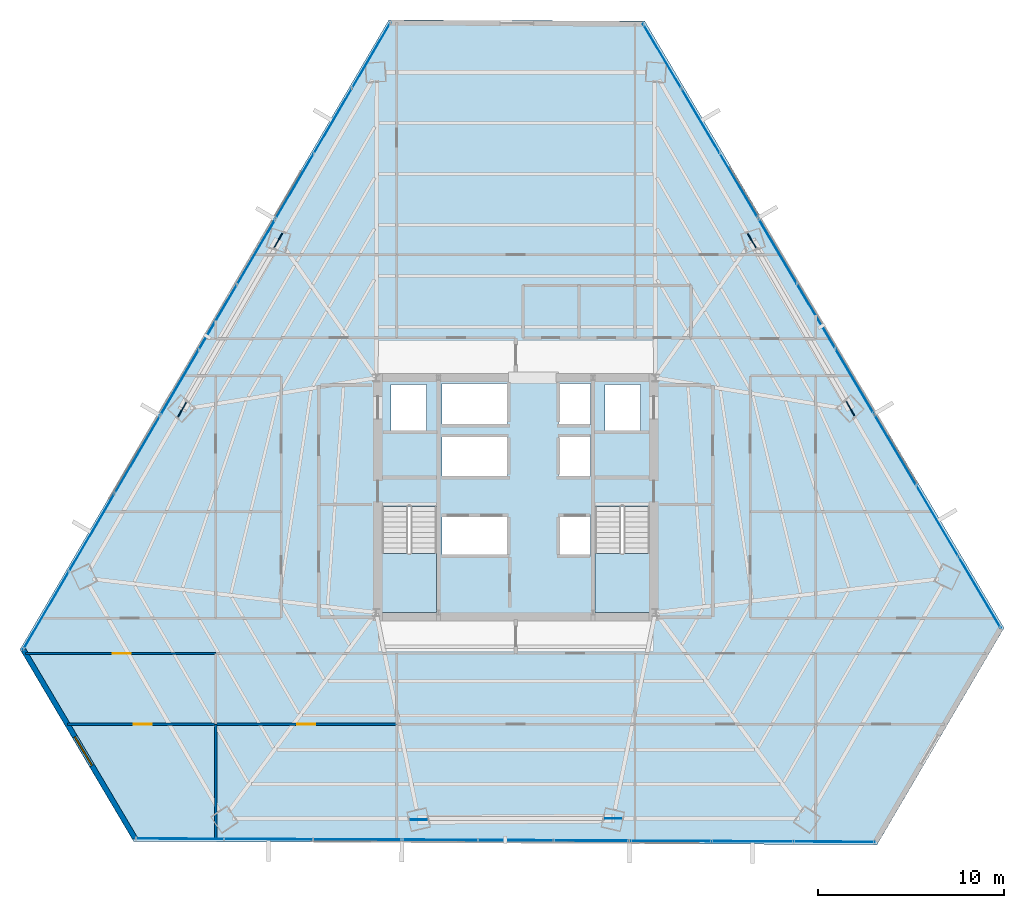
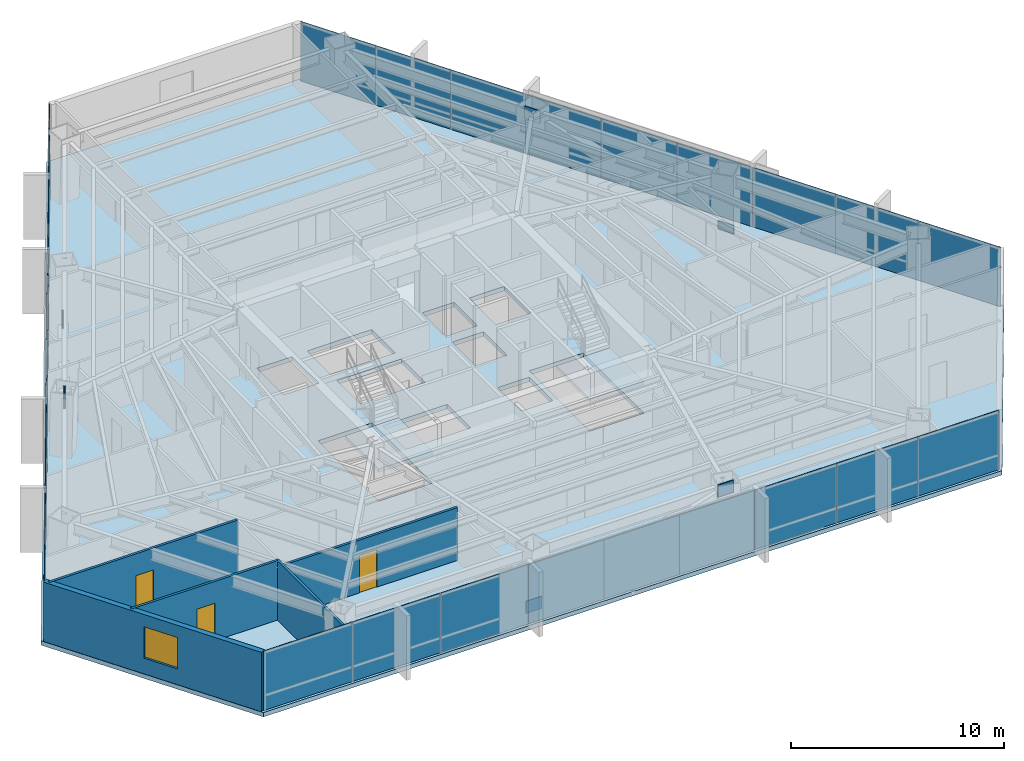
# One storey, part 29 of 37: 33 plates, 5 walls, 3 doors, 3 slabs, 1 window, 4 openings, 11 elements without a shape of their own.
"""IFC4 building model written with IfcOpenShell, lengths in metres."""

from ifc_helpers import new_model, si_unit, direction, frame, frame_2d, origin, origin_2d, place, context, subcontext, project, spatial, polyline, rectangle, outline, extrude, source, transform, mapped, material, layer, layer_set, type_object, type_shapes, element, fill, aggregate, save


model = new_model("IFC4")

# Units and contexts
model_context = context("Model", 3, precision=1e-05, world=origin(), true_north=direction((0.0, 1.0)))
body_context = subcontext(model_context, "Body", "Model", "MODEL_VIEW")
ifc_project = project(units=[si_unit("LENGTHUNIT", "METRE"), si_unit("AREAUNIT", "SQUARE_METRE"), si_unit("VOLUMEUNIT", "CUBIC_METRE"), si_unit("PLANEANGLEUNIT", "RADIAN"), si_unit("MASSUNIT", "GRAM", prefix="KILO")], contexts=[model_context])

# Site, building, storey
site_placement = place(None, origin())
site = spatial("IfcSite", under=ifc_project, at=site_placement, CompositionType="ELEMENT")
building_placement = place(site_placement, origin())
building = spatial("IfcBuilding", under=site, at=building_placement, Name="Caelisora Broadcast Tower", CompositionType="ELEMENT")
storey_placement = place(building_placement, frame((0.0, 0.0, 101.75)))
storey = spatial("IfcBuildingStorey", under=building, at=storey_placement, Name="L26", CompositionType="ELEMENT", Elevation=101.75)

# Slab
ifc_material_1 = material(Name="Concrete 40 MPa (AS 3600 N40)", Category="concrete")
ifc_layer_1 = layer(ifc_material_1, 0.25, Name="Concrete 40 MPa (AS 3600 N40)")
ifc_layer_set_1 = layer_set([ifc_layer_1], Name="Concrete 40 MPa (AS 3600 N40)")
slab_type_1 = type_object("IfcSlabType", Name="SL04", PredefinedType="FLOOR", material=ifc_layer_set_1)
slab_1_placement = place(storey_placement, frame((0.0, 0.0, -0.25)))
element("IfcSlab", 1, at=slab_1_placement, inside=storey, type_object=slab_type_1, Name="L26 suspended floor SL04", PredefinedType="FLOOR", context=body_context, shape_type="SweptSolid", body=[
    extrude(outline(polyline([(44.926025390625, 49.14697265625), (31.18310546875, 49.2099609375), (11.384033203125, 15.4130859375), (17.48095703125, 5.113037109375), (57.39404296875, 4.930908203125), (64.2119140625, 16.568115234375), (44.926025390625, 49.14697265625)]), holes=[polyline([(30.820068359375, 17.39990234375), (33.739990234375, 17.39990234375), (33.739990234375, 23.080078125), (30.820068359375, 23.080078125), (30.820068359375, 17.39990234375)]), polyline([(42.260009765625, 17.39990234375), (45.179931640625, 17.39990234375), (45.179931640625, 23.080078125), (42.260009765625, 23.080078125), (42.260009765625, 17.39990234375)]), polyline([(42.800048828125, 27.14990234375), (44.699951171875, 27.14990234375), (44.699951171875, 29.64990234375), (42.800048828125, 29.64990234375), (42.800048828125, 27.14990234375)]), polyline([(40.300048828125, 20.429931640625), (42.0, 20.429931640625), (42.0, 22.6298828125), (40.300048828125, 22.6298828125), (40.300048828125, 20.429931640625)]), polyline([(40.300048828125, 24.719970703125), (42.0, 24.719970703125), (42.0, 26.919921875), (40.300048828125, 26.919921875), (40.300048828125, 24.719970703125)]), polyline([(40.300048828125, 27.5), (42.0, 27.5), (42.0, 29.699951171875), (40.300048828125, 29.699951171875), (40.300048828125, 27.5)]), polyline([(34.050048828125, 20.429931640625), (37.550048828125, 20.429931640625), (37.550048828125, 22.6298828125), (34.050048828125, 22.6298828125), (34.050048828125, 20.429931640625)]), polyline([(34.050048828125, 24.719970703125), (37.550048828125, 24.719970703125), (37.550048828125, 26.919921875), (34.050048828125, 26.919921875), (34.050048828125, 24.719970703125)]), polyline([(34.050048828125, 27.5), (37.550048828125, 27.5), (37.550048828125, 29.699951171875), (34.050048828125, 29.699951171875), (34.050048828125, 27.5)]), polyline([(31.300048828125, 27.14990234375), (33.199951171875, 27.14990234375), (33.199951171875, 29.64990234375), (31.300048828125, 29.64990234375), (31.300048828125, 27.14990234375)])]), origin(), (0.0, 0.0, 1.0), 0.25),
])

# Stair, slab
stair_type_1 = type_object("IfcStairType", Name="ST-1", PredefinedType="HALF_TURN_STAIR", material=ifc_material_1)
stair_1_placement = place(storey_placement, origin())
stair_1 = element("IfcStair", 2, at=stair_1_placement, inside=storey, type_object=stair_type_1, Name="L26 West Fire-Isolated Tower Stair", PredefinedType="HALF_TURN_STAIR")
ifc_layer_2 = layer(ifc_material_1, 0.199951171875, Name="Concrete 40 MPa (AS 3600 N40)")
ifc_layer_set_2 = layer_set([ifc_layer_2], Name="Concrete 40 MPa (AS 3600 N40)")
slab_type_2 = type_object("IfcSlabType", Name="STL-1", PredefinedType="LANDING", material=ifc_layer_set_2)
slab_2_placement = place(storey_placement, frame((0.0, 0.0, 1.625)))
slab_2 = element("IfcSlab", 3, at=slab_2_placement, type_object=slab_type_2, Name="ST-1 landing 1", PredefinedType="LANDING", context=body_context, shape_type="SweptSolid", body=[
    extrude(outline(polyline([(30.820068359375, 20.580078125), (30.820068359375, 17.39990234375), (33.739990234375, 17.39990234375), (33.739990234375, 20.580078125), (30.820068359375, 20.580078125)])), origin(), (0.0, 0.0, 1.0), 0.199951171875),
])
aggregate(stair_1, [slab_2])

stair_type_2 = type_object("IfcStairType", Name="ST-2", PredefinedType="HALF_TURN_STAIR", material=ifc_material_1)
stair_2_placement = place(storey_placement, origin())
stair_2 = element("IfcStair", 4, at=stair_2_placement, inside=storey, type_object=stair_type_2, Name="L26 East Fire-Isolated Tower Stair", PredefinedType="HALF_TURN_STAIR")
slab_3_placement = place(storey_placement, frame((0.0, 0.0, 1.625)))
slab_3 = element("IfcSlab", 5, at=slab_3_placement, type_object=slab_type_2, Name="ST-2 landing 1", PredefinedType="LANDING", context=body_context, shape_type="SweptSolid", body=[
    extrude(outline(polyline([(42.260009765625, 20.580078125), (42.260009765625, 17.39990234375), (45.179931640625, 17.39990234375), (45.179931640625, 20.580078125), (42.260009765625, 20.580078125)])), origin(), (0.0, 0.0, 1.0), 0.199951171875),
])
aggregate(stair_2, [slab_3])

# Plates
ifc_material_2 = material(Name="Steel Grade 350 L15 (AS/NZS 3678)", Category="steel")
ifc_layer_3 = layer(ifc_material_2, 0.050048828125, Name="Steel Grade 350 L15 (AS/NZS 3678)")
ifc_layer_set_3 = layer_set([ifc_layer_3], Name="Steel Grade 350 L15 (AS/NZS 3678)")
plate_type_1 = type_object("IfcPlateType", Name="GP03", PredefinedType="USERDEFINED", material=ifc_layer_set_3)
shared_shape_1 = source(origin(), body_context, "Body", "SweptSolid", [
    extrude(rectangle(XDim=0.85009765625, YDim=0.050048828125, at=origin_2d()), origin(), (0.0, 0.0, 1.0), 0.699951171875),
])
type_shapes(plate_type_1, [shared_shape_1])
for number, where, z_axis, x_axis, name in (
    (6, (25.24951171875, 37.3779296875, -0.22998046875), (0.0, 0.0, 1.0), (-0.5, -0.866025403784, 0.0), "L26 gusset plate GP03 (ND-L26-C02B)"),
    (7, (20.093505859375, 28.302978515625, 2.72998046875), (0.0, 0.0, 1.0), (-0.5, -0.866025403784, 0.0), "L26 gusset plate GP03 (ND-L26-C03T)"),
    (8, (32.789794921875, 6.268798828125, -0.22998046875), (0.0, 0.0, 1.0), (1.0, 0.0, 0.0), "L26 gusset plate GP03 (ND-L26-C06B)"),
    (9, (43.226806640625, 6.341064453125, 2.72998046875), (0.0, 0.0, 1.0), (1.0, 0.0, 0.0), "L26 gusset plate GP03 (ND-L26-C07T)"),
    (10, (55.9609375, 28.353515625, -0.22998046875), (0.0, 0.0, 1.0), (-0.5, 0.866025403784, 0.0), "L26 gusset plate GP03 (ND-L26-C10B)"),
    (11, (50.6796875, 37.35595703125, 2.72998046875), (0.0, 0.0, 1.0), (-0.5, 0.866025403784, 0.0), "L26 gusset plate GP03 (ND-L26-C11T)"),
):
    element("IfcPlate", number, at=place(storey_placement, frame(where, z_axis=z_axis, x_axis=x_axis)), inside=storey, type_object=plate_type_1, Name=name, ObjectType="GUSSET PLATE", PredefinedType="USERDEFINED", context=body_context, shape_type="MappedRepresentation", body=[
        mapped(shared_shape_1, transform((0.0, 0.0, 0.0), scale=1.0)),
    ])

# Curtain wall, plates
ifc_material_3 = material(Name="Unitised Aluminium and Low-E Glass Curtain Wall", Category="glass")
curtain_wall_type_1 = type_object("IfcCurtainWallType", Name="CW-Z2", PredefinedType="NOTDEFINED", material=ifc_material_3)
curtain_wall_1_placement = place(storey_placement, origin())
curtain_wall_1 = element("IfcCurtainWall", 12, at=curtain_wall_1_placement, inside=storey, type_object=curtain_wall_type_1, Name="L26 curtain wall CW-Z2", PredefinedType="NOTDEFINED")
ifc_material_4 = material(Name="Double Glazed Low-E Argon IGU", Category="glass")
ifc_layer_4 = layer(ifc_material_4, 0.033935546875, Name="Double Glazed Low-E Argon IGU")
ifc_layer_set_4 = layer_set([ifc_layer_4], Name="Double Glazed Low-E Argon IGU")
plate_type_2 = type_object("IfcPlateType", Name="CWP-03", PredefinedType="CURTAIN_PANEL", material=ifc_layer_set_4)
shared_shape_2 = source(origin(), body_context, "Body", "SweptSolid", [
    extrude(rectangle(XDim=4.034912109375, YDim=0.033935546875, at=origin_2d()), origin(), (0.0, 0.0, 1.0), 3.39990234375),
])
plate_1_placement = place(storey_placement, frame((45.86767578125, 47.260986328125, 0.0), z_axis=(0.0, 0.0, 1.0), x_axis=(0.509492029423, -0.860475375565, 0.0)))
plate_1 = element("IfcPlate", 13, at=plate_1_placement, type_object=plate_type_2, Name="L26-CW-B01 glazed panel #1", PredefinedType="CURTAIN_PANEL", context=body_context, shape_type="MappedRepresentation", body=[
    mapped(shared_shape_2, transform((0.0, 0.0, 0.0), scale=1.0)),
])
plate_2_placement = place(storey_placement, frame((47.923095703125, 43.7890625, 0.0), z_axis=(0.0, 0.0, 1.0), x_axis=(0.509492029423, -0.860475375565, 0.0)))
plate_2 = element("IfcPlate", 14, at=plate_2_placement, type_object=plate_type_2, Name="L26-CW-B01 glazed panel #2", PredefinedType="CURTAIN_PANEL", context=body_context, shape_type="MappedRepresentation", body=[
    mapped(shared_shape_2, transform((0.0, 0.0, 0.0), scale=1.0)),
])
plate_3_placement = place(storey_placement, frame((49.978515625, 40.31689453125, 0.0), z_axis=(0.0, 0.0, 1.0), x_axis=(0.509492029423, -0.860475375565, 0.0)))
plate_3 = element("IfcPlate", 15, at=plate_3_placement, type_object=plate_type_2, Name="L26-CW-B01 glazed panel #3", PredefinedType="CURTAIN_PANEL", context=body_context, shape_type="MappedRepresentation", body=[
    mapped(shared_shape_2, transform((0.0, 0.0, 0.0), scale=1.0)),
])
aggregate(curtain_wall_1, [plate_1, plate_2, plate_3])

ifc_material_5 = material(Name="Unitised Aluminium Insulated Shadow-Box Spandrel Curtain Wall", Category="aluminium")
curtain_wall_type_2 = type_object("IfcCurtainWallType", Name="CW-SP1", PredefinedType="NOTDEFINED", material=ifc_material_5)
curtain_wall_2_placement = place(storey_placement, origin())
curtain_wall_2 = element("IfcCurtainWall", 16, at=curtain_wall_2_placement, inside=storey, type_object=curtain_wall_type_2, Name="L26 curtain wall CW-SP1", PredefinedType="NOTDEFINED")
ifc_material_6 = material(Name="Insulated Terracotta Shadow-Box Spandrel Panel", Category="aluminium")
ifc_layer_5 = layer(ifc_material_6, 0.0439453125, Name="Insulated Terracotta Shadow-Box Spandrel Panel")
ifc_layer_set_5 = layer_set([ifc_layer_5], Name="Insulated Terracotta Shadow-Box Spandrel Panel")
plate_type_3 = type_object("IfcPlateType", Name="CWP-10", PredefinedType="CURTAIN_PANEL", material=ifc_layer_set_5)
shared_shape_3 = source(origin(), body_context, "Body", "SweptSolid", [
    extrude(rectangle(XDim=4.070068359375, YDim=0.0439453125, at=origin_2d()), origin(), (0.0, 0.0, 1.0), 3.39990234375),
])
plate_4_placement = place(storey_placement, frame((52.048095703125, 36.8212890625, 0.0), z_axis=(0.0, 0.0, 1.0), x_axis=(0.509492029423, -0.860475375565, 0.0)))
plate_4 = element("IfcPlate", 17, at=plate_4_placement, type_object=plate_type_3, Name="L26-CW-B02 spandrel panel #1", PredefinedType="CURTAIN_PANEL", context=body_context, shape_type="MappedRepresentation", body=[
    mapped(shared_shape_3, transform((0.0, 0.0, 0.0), scale=1.0)),
])
plate_5_placement = place(storey_placement, frame((54.121337890625, 33.31884765625, 0.0), z_axis=(0.0, 0.0, 1.0), x_axis=(0.509492029423, -0.860475375565, 0.0)))
plate_5 = element("IfcPlate", 18, at=plate_5_placement, type_object=plate_type_3, Name="L26-CW-B02 spandrel panel #2", PredefinedType="CURTAIN_PANEL", context=body_context, shape_type="MappedRepresentation", body=[
    mapped(shared_shape_3, transform((0.0, 0.0, 0.0), scale=1.0)),
])
plate_6_placement = place(storey_placement, frame((56.19482421875, 29.816650390625, 0.0), z_axis=(0.0, 0.0, 1.0), x_axis=(0.509492029423, -0.860475375565, 0.0)))
plate_6 = element("IfcPlate", 19, at=plate_6_placement, type_object=plate_type_3, Name="L26-CW-B02 spandrel panel #3", PredefinedType="CURTAIN_PANEL", context=body_context, shape_type="MappedRepresentation", body=[
    mapped(shared_shape_3, transform((0.0, 0.0, 0.0), scale=1.0)),
])
aggregate(curtain_wall_2, [plate_4, plate_5, plate_6])

curtain_wall_3_placement = place(storey_placement, origin())
curtain_wall_3 = element("IfcCurtainWall", 20, at=curtain_wall_3_placement, inside=storey, type_object=curtain_wall_type_2, Name="L26 curtain wall CW-SP1", PredefinedType="NOTDEFINED")
plate_7_placement = place(storey_placement, frame((19.945068359375, 29.729736328125, 0.0), z_axis=(0.0, 0.0, 1.0), x_axis=(0.505431492718, 0.862866737202, 0.0)))
plate_7 = element("IfcPlate", 21, at=plate_7_placement, type_object=plate_type_3, Name="L26-CW-B10 spandrel panel #1", PredefinedType="CURTAIN_PANEL", context=body_context, shape_type="MappedRepresentation", body=[
    mapped(shared_shape_3, transform((0.0, 0.0, 0.0), scale=1.0)),
])
plate_8_placement = place(storey_placement, frame((22.00244140625, 33.24169921875, 0.0), z_axis=(0.0, 0.0, 1.0), x_axis=(0.505431492718, 0.862866737202, 0.0)))
plate_8 = element("IfcPlate", 22, at=plate_8_placement, type_object=plate_type_3, Name="L26-CW-B10 spandrel panel #2", PredefinedType="CURTAIN_PANEL", context=body_context, shape_type="MappedRepresentation", body=[
    mapped(shared_shape_3, transform((0.0, 0.0, 0.0), scale=1.0)),
])
plate_9_placement = place(storey_placement, frame((24.059814453125, 36.753662109375, 0.0), z_axis=(0.0, 0.0, 1.0), x_axis=(0.505431492718, 0.862866737202, 0.0)))
plate_9 = element("IfcPlate", 23, at=plate_9_placement, type_object=plate_type_3, Name="L26-CW-B10 spandrel panel #3", PredefinedType="CURTAIN_PANEL", context=body_context, shape_type="MappedRepresentation", body=[
    mapped(shared_shape_3, transform((0.0, 0.0, 0.0), scale=1.0)),
])
aggregate(curtain_wall_3, [plate_7, plate_8, plate_9])

curtain_wall_4_placement = place(storey_placement, origin())
curtain_wall_4 = element("IfcCurtainWall", 24, at=curtain_wall_4_placement, inside=storey, type_object=curtain_wall_type_1, Name="L26 curtain wall CW-Z2", PredefinedType="NOTDEFINED")
shared_shape_4 = source(origin(), body_context, "Body", "SweptSolid", [
    extrude(rectangle(XDim=4.450439453125, YDim=0.033935546875, at=origin_2d()), origin(), (0.0, 0.0, 1.0), 3.39990234375),
])
plate_10_placement = place(storey_placement, frame((58.3701171875, 26.14208984375, 0.0), z_axis=(0.0, 0.0, 1.0), x_axis=(0.509492029423, -0.860475375565, 0.0)))
plate_10 = element("IfcPlate", 25, at=plate_10_placement, type_object=plate_type_2, Name="L26-CW-B03 glazed panel #1", PredefinedType="CURTAIN_PANEL", context=body_context, shape_type="MappedRepresentation", body=[
    mapped(shared_shape_4, transform((0.0, 0.0, 0.0), scale=1.0)),
])
plate_11_placement = place(storey_placement, frame((60.63720703125, 22.3125, 0.0), z_axis=(0.0, 0.0, 1.0), x_axis=(0.509492029423, -0.860475375565, 0.0)))
plate_11 = element("IfcPlate", 26, at=plate_11_placement, type_object=plate_type_2, Name="L26-CW-B03 glazed panel #2", PredefinedType="CURTAIN_PANEL", context=body_context, shape_type="MappedRepresentation", body=[
    mapped(shared_shape_4, transform((0.0, 0.0, 0.0), scale=1.0)),
])
plate_12_placement = place(storey_placement, frame((62.904296875, 18.48291015625, 0.0), z_axis=(0.0, 0.0, 1.0), x_axis=(0.509492029423, -0.860475375565, 0.0)))
plate_12 = element("IfcPlate", 27, at=plate_12_placement, type_object=plate_type_2, Name="L26-CW-B03 glazed panel #3", PredefinedType="CURTAIN_PANEL", context=body_context, shape_type="MappedRepresentation", body=[
    mapped(shared_shape_4, transform((0.0, 0.0, 0.0), scale=1.0)),
])
aggregate(curtain_wall_4, [plate_10, plate_11, plate_12])

curtain_wall_5_placement = place(storey_placement, origin())
curtain_wall_5 = element("IfcCurtainWall", 28, at=curtain_wall_5_placement, inside=storey, type_object=curtain_wall_type_1, Name="L26 curtain wall CW-Z2", PredefinedType="NOTDEFINED")
shared_shape_5 = source(origin(), body_context, "Body", "SweptSolid", [
    extrude(rectangle(XDim=4.3994140625, YDim=0.033935546875, at=origin_2d()), origin(), (0.0, 0.0, 1.0), 3.39990234375),
])
plate_13_placement = place(storey_placement, frame((55.1083984375, 5.091064453125, 0.0), z_axis=(0.0, 0.0, 1.0), x_axis=(-0.999989703949, 0.004537840481, 0.0)))
plate_13 = element("IfcPlate", 29, at=plate_13_placement, type_object=plate_type_2, Name="L26-CW-B05 glazed panel #1", PredefinedType="CURTAIN_PANEL", context=body_context, shape_type="MappedRepresentation", body=[
    mapped(shared_shape_5, transform((0.0, 0.0, 0.0), scale=1.0)),
])
plate_14_placement = place(storey_placement, frame((50.708984375, 5.111083984375, 0.0), z_axis=(0.0, 0.0, 1.0), x_axis=(-0.999989703949, 0.004537840481, 0.0)))
plate_14 = element("IfcPlate", 30, at=plate_14_placement, type_object=plate_type_2, Name="L26-CW-B05 glazed panel #2", PredefinedType="CURTAIN_PANEL", context=body_context, shape_type="MappedRepresentation", body=[
    mapped(shared_shape_5, transform((0.0, 0.0, 0.0), scale=1.0)),
])
plate_15_placement = place(storey_placement, frame((46.309814453125, 5.13134765625, 0.0), z_axis=(0.0, 0.0, 1.0), x_axis=(-0.999989703949, 0.004537840481, 0.0)))
plate_15 = element("IfcPlate", 31, at=plate_15_placement, type_object=plate_type_2, Name="L26-CW-B05 glazed panel #3", PredefinedType="CURTAIN_PANEL", context=body_context, shape_type="MappedRepresentation", body=[
    mapped(shared_shape_5, transform((0.0, 0.0, 0.0), scale=1.0)),
])
aggregate(curtain_wall_5, [plate_13, plate_14, plate_15])

curtain_wall_6_placement = place(storey_placement, origin())
curtain_wall_6 = element("IfcCurtainWall", 32, at=curtain_wall_6_placement, inside=storey, type_object=curtain_wall_type_2, Name="L26 curtain wall CW-SP1", PredefinedType="NOTDEFINED")
shared_shape_6 = source(origin(), body_context, "Body", "SweptSolid", [
    extrude(rectangle(XDim=4.0703125, YDim=0.0439453125, at=origin_2d()), origin(), (0.0, 0.0, 1.0), 3.39990234375),
])
type_shapes(plate_type_3, [shared_shape_3, shared_shape_6])
plate_16_placement = place(storey_placement, frame((42.065185546875, 5.15087890625, 0.0), z_axis=(0.0, 0.0, 1.0), x_axis=(-0.999989703949, 0.004537840481, 0.0)))
plate_16 = element("IfcPlate", 33, at=plate_16_placement, type_object=plate_type_3, Name="L26-CW-B06 spandrel panel #1", PredefinedType="CURTAIN_PANEL", context=body_context, shape_type="MappedRepresentation", body=[
    mapped(shared_shape_6, transform((0.0, 0.0, 0.0), scale=1.0)),
])
plate_17_placement = place(storey_placement, frame((37.9951171875, 5.16943359375, 0.0), z_axis=(0.0, 0.0, 1.0), x_axis=(-0.999989703949, 0.004537840481, 0.0)))
plate_17 = element("IfcPlate", 34, at=plate_17_placement, type_object=plate_type_3, Name="L26-CW-B06 spandrel panel #2", PredefinedType="CURTAIN_PANEL", context=body_context, shape_type="MappedRepresentation", body=[
    mapped(shared_shape_6, transform((0.0, 0.0, 0.0), scale=1.0)),
])
plate_18_placement = place(storey_placement, frame((33.9248046875, 5.18798828125, 0.0), z_axis=(0.0, 0.0, 1.0), x_axis=(-0.999989703949, 0.004537840481, 0.0)))
plate_18 = element("IfcPlate", 35, at=plate_18_placement, type_object=plate_type_3, Name="L26-CW-B06 spandrel panel #3", PredefinedType="CURTAIN_PANEL", context=body_context, shape_type="MappedRepresentation", body=[
    mapped(shared_shape_6, transform((0.0, 0.0, 0.0), scale=1.0)),
])
aggregate(curtain_wall_6, [plate_16, plate_17, plate_18])

curtain_wall_7_placement = place(storey_placement, origin())
curtain_wall_7 = element("IfcCurtainWall", 36, at=curtain_wall_7_placement, inside=storey, type_object=curtain_wall_type_1, Name="L26 curtain wall CW-Z2", PredefinedType="NOTDEFINED")
shared_shape_7 = source(origin(), body_context, "Body", "SweptSolid", [
    extrude(rectangle(XDim=4.77099609375, YDim=0.033935546875, at=origin_2d()), origin(), (0.0, 0.0, 1.0), 3.39990234375),
])
plate_19_placement = place(storey_placement, frame((29.494384765625, 5.20849609375, 0.0), z_axis=(0.0, 0.0, 1.0), x_axis=(-0.999989703949, 0.004537840481, 0.0)))
plate_19 = element("IfcPlate", 37, at=plate_19_placement, type_object=plate_type_2, Name="L26-CW-B07 glazed panel #1", PredefinedType="CURTAIN_PANEL", context=body_context, shape_type="MappedRepresentation", body=[
    mapped(shared_shape_7, transform((0.0, 0.0, 0.0), scale=1.0)),
])
plate_20_placement = place(storey_placement, frame((24.723388671875, 5.230224609375, 0.0), z_axis=(0.0, 0.0, 1.0), x_axis=(-0.999989703949, 0.004537840481, 0.0)))
plate_20 = element("IfcPlate", 38, at=plate_20_placement, type_object=plate_type_2, Name="L26-CW-B07 glazed panel #2", PredefinedType="CURTAIN_PANEL", context=body_context, shape_type="MappedRepresentation", body=[
    mapped(shared_shape_7, transform((0.0, 0.0, 0.0), scale=1.0)),
])
plate_21_placement = place(storey_placement, frame((19.952392578125, 5.252197265625, 0.0), z_axis=(0.0, 0.0, 1.0), x_axis=(-0.999989703949, 0.004537840481, 0.0)))
plate_21 = element("IfcPlate", 39, at=plate_21_placement, type_object=plate_type_2, Name="L26-CW-B07 glazed panel #3", PredefinedType="CURTAIN_PANEL", context=body_context, shape_type="MappedRepresentation", body=[
    mapped(shared_shape_7, transform((0.0, 0.0, 0.0), scale=1.0)),
])
aggregate(curtain_wall_7, [plate_19, plate_20, plate_21])

curtain_wall_8_placement = place(storey_placement, origin())
curtain_wall_8 = element("IfcCurtainWall", 40, at=curtain_wall_8_placement, inside=storey, type_object=curtain_wall_type_1, Name="L26 curtain wall CW-Z2", PredefinedType="NOTDEFINED")
shared_shape_8 = source(origin(), body_context, "Body", "SweptSolid", [
    extrude(rectangle(XDim=4.84912109375, YDim=0.033935546875, at=origin_2d()), origin(), (0.0, 0.0, 1.0), 3.39990234375),
])
plate_22_placement = place(storey_placement, frame((12.78369140625, 17.5048828125, 0.0), z_axis=(0.0, 0.0, 1.0), x_axis=(0.505431492718, 0.862866737202, 0.0)))
plate_22 = element("IfcPlate", 41, at=plate_22_placement, type_object=plate_type_2, Name="L26-CW-B09 glazed panel #1", PredefinedType="CURTAIN_PANEL", context=body_context, shape_type="MappedRepresentation", body=[
    mapped(shared_shape_8, transform((0.0, 0.0, 0.0), scale=1.0)),
])
plate_23_placement = place(storey_placement, frame((15.234619140625, 21.689208984375, 0.0), z_axis=(0.0, 0.0, 1.0), x_axis=(0.505431492718, 0.862866737202, 0.0)))
plate_23 = element("IfcPlate", 42, at=plate_23_placement, type_object=plate_type_2, Name="L26-CW-B09 glazed panel #2", PredefinedType="CURTAIN_PANEL", context=body_context, shape_type="MappedRepresentation", body=[
    mapped(shared_shape_8, transform((0.0, 0.0, 0.0), scale=1.0)),
])
plate_24_placement = place(storey_placement, frame((17.685791015625, 25.873291015625, 0.0), z_axis=(0.0, 0.0, 1.0), x_axis=(0.505431492718, 0.862866737202, 0.0)))
plate_24 = element("IfcPlate", 43, at=plate_24_placement, type_object=plate_type_2, Name="L26-CW-B09 glazed panel #3", PredefinedType="CURTAIN_PANEL", context=body_context, shape_type="MappedRepresentation", body=[
    mapped(shared_shape_8, transform((0.0, 0.0, 0.0), scale=1.0)),
])
aggregate(curtain_wall_8, [plate_22, plate_23, plate_24])

curtain_wall_9_placement = place(storey_placement, origin())
curtain_wall_9 = element("IfcCurtainWall", 44, at=curtain_wall_9_placement, inside=storey, type_object=curtain_wall_type_1, Name="L26 curtain wall CW-Z2", PredefinedType="NOTDEFINED")
shared_shape_9 = source(origin(), body_context, "Body", "SweptSolid", [
    extrude(rectangle(XDim=4.072509765625, YDim=0.033935546875, at=origin_2d()), origin(), (0.0, 0.0, 1.0), 3.39990234375),
])
type_shapes(plate_type_2, [shared_shape_2, shared_shape_4, shared_shape_5, shared_shape_7, shared_shape_8, shared_shape_9])
plate_25_placement = place(storey_placement, frame((26.122802734375, 40.275146484375, 0.0), z_axis=(0.0, 0.0, 1.0), x_axis=(0.505431492718, 0.862866737202, 0.0)))
plate_25 = element("IfcPlate", 45, at=plate_25_placement, type_object=plate_type_2, Name="L26-CW-B11 glazed panel #1", PredefinedType="CURTAIN_PANEL", context=body_context, shape_type="MappedRepresentation", body=[
    mapped(shared_shape_9, transform((0.0, 0.0, 0.0), scale=1.0)),
])
plate_26_placement = place(storey_placement, frame((28.18115234375, 43.7890625, 0.0), z_axis=(0.0, 0.0, 1.0), x_axis=(0.505431492718, 0.862866737202, 0.0)))
plate_26 = element("IfcPlate", 46, at=plate_26_placement, type_object=plate_type_2, Name="L26-CW-B11 glazed panel #2", PredefinedType="CURTAIN_PANEL", context=body_context, shape_type="MappedRepresentation", body=[
    mapped(shared_shape_9, transform((0.0, 0.0, 0.0), scale=1.0)),
])
plate_27_placement = place(storey_placement, frame((30.23974609375, 47.302978515625, 0.0), z_axis=(0.0, 0.0, 1.0), x_axis=(0.505431492718, 0.862866737202, 0.0)))
plate_27 = element("IfcPlate", 47, at=plate_27_placement, type_object=plate_type_2, Name="L26-CW-B11 glazed panel #3", PredefinedType="CURTAIN_PANEL", context=body_context, shape_type="MappedRepresentation", body=[
    mapped(shared_shape_9, transform((0.0, 0.0, 0.0), scale=1.0)),
])
aggregate(curtain_wall_9, [plate_25, plate_26, plate_27])

# Wall, opening, window
ifc_material_7 = material(Name="Insulated Terracotta Spandrel Wall System", Category="masonry")
ifc_layer_6 = layer(ifc_material_7, 0.280029296875, Name="Insulated Terracotta Spandrel Wall System")
ifc_layer_set_6 = layer_set([ifc_layer_6], Name="Insulated Terracotta Spandrel Wall System")
wall_type_1 = type_object("IfcWallType", Name="EW1", PredefinedType="STANDARD", material=ifc_layer_set_6)
wall_1_placement = place(storey_placement, frame((17.5517578125, 5.288818359375, 0.0), z_axis=(0.0, 0.0, 1.0), x_axis=(-0.50944194456, 0.86050502911, 0.0)))
wall_1 = element("IfcWall", 48, at=wall_1_placement, inside=storey, type_object=wall_type_1, Name="L26 exterior envelope wall EW1", PredefinedType="STANDARD", context=body_context, shape_type="SweptSolid", body=[
    extrude(rectangle(XDim=11.7353515625, YDim=0.280029296875, at=frame_2d((5.86767578125, 0.0))), origin(), (0.0, 0.0, 1.0), 3.39990234375),
])
opening_1_placement = place(wall_1_placement, frame((4.52001953125, 0.0, 0.89990234375)))
opening_1 = element("IfcOpeningElement", 49, at=opening_1_placement, cuts=wall_1, Name="Opening W01", PredefinedType="OPENING", context=body_context, shape_type="SweptSolid", body=[
    extrude(rectangle(XDim=1.800048828125, YDim=1.800048828125, at=frame_2d((0.89990234375, 0.89990234375))), frame((0.0, 0.152099609375, 0.0), z_axis=(0.0, -1.0, 0.0), x_axis=(1.0, 0.0, 0.0)), (0.0, 0.0, 1.0), 0.303955078125),
])
ifc_material_8 = material(Name="Double Glazed Terracotta-Framed Vision Window", Category="glass")
window_type = type_object("IfcWindowType", Name="W01", PartitioningType="SINGLE_PANEL", PredefinedType="WINDOW", material=ifc_material_8)
window_placement = place(opening_1_placement, origin())
window = element("IfcWindow", 50, at=window_placement, inside=storey, type_object=window_type, Name="L26 window W01 (L26-WN-CH4)", OverallHeight=1.800048828125, OverallWidth=1.800048828125, PartitioningType="SINGLE_PANEL", PredefinedType="WINDOW", context=body_context, shape_type="SweptSolid", body=[
    extrude(rectangle(XDim=1.800048828125, YDim=1.800048828125, at=frame_2d((0.89990234375, 0.89990234375))), frame((0.0, 0.030029296875, 0.0), z_axis=(0.0, -1.0, 0.0), x_axis=(1.0, 0.0, 0.0)), (0.0, 0.0, 1.0), 0.06005859375),
])
fill(opening_1, window)

# Wall, opening, door
ifc_material_9 = material(Name="Acoustic Steel-Stud Plasterboard Partition", Category="gypsum")
ifc_layer_7 = layer(ifc_material_9, 0.1298828125, Name="Acoustic Steel-Stud Plasterboard Partition")
ifc_layer_set_7 = layer_set([ifc_layer_7], Name="Acoustic Steel-Stud Plasterboard Partition")
wall_type_2 = type_object("IfcWallType", Name="PW3", PredefinedType="PARTITIONING", material=ifc_layer_set_7)
wall_2_placement = place(storey_placement, frame((11.6787109375, 15.199951171875, 0.0), z_axis=(0.0, 0.0, 1.0), x_axis=(1.0, 0.0, 0.0)))
wall_2 = element("IfcWall", 51, at=wall_2_placement, inside=storey, type_object=wall_type_2, Name="L26 internal partition PW3", PredefinedType="PARTITIONING", context=body_context, shape_type="SweptSolid", body=[
    extrude(rectangle(XDim=10.21630859375, YDim=0.1298828125, at=frame_2d((5.108154296875, 0.0))), origin(), (0.0, 0.0, 1.0), 3.39990234375),
])
opening_2_placement = place(wall_2_placement, frame((4.681884765625, 0.0, 0.0)))
opening_2 = element("IfcOpeningElement", 52, at=opening_2_placement, cuts=wall_2, Name="Opening D01", PredefinedType="OPENING", context=body_context, shape_type="SweptSolid", body=[
    extrude(rectangle(XDim=0.9599609375, YDim=2.14990234375, at=frame_2d((0.47998046875, 1.074951171875))), frame((0.0, 0.076904296875, 0.0), z_axis=(0.0, -1.0, 0.0), x_axis=(1.0, 0.0, 0.0)), (0.0, 0.0, 1.0), 0.15380859375),
])
ifc_material_10 = material(Name="Solid-Core Timber Acoustic Office Door", Category="wood")
door_type = type_object("IfcDoorType", Name="D01", OperationType="NOTDEFINED", PredefinedType="DOOR", material=ifc_material_10)
door_1_placement = place(opening_2_placement, origin())
door_1 = element("IfcDoor", 53, at=door_1_placement, inside=storey, type_object=door_type, Name="L26 door D01 (L26-DR-P30D1)", OperationType="SINGLE_SWING_RIGHT", OverallHeight=2.14990234375, OverallWidth=0.9599609375, PredefinedType="DOOR", context=body_context, shape_type="SweptSolid", body=[
    extrude(rectangle(XDim=0.9599609375, YDim=2.14990234375, at=frame_2d((0.47998046875, 1.074951171875))), frame((0.0, 0.02490234375, 0.0), z_axis=(0.0, -1.0, 0.0), x_axis=(1.0, 0.0, 0.0)), (0.0, 0.0, 1.0), 0.050048828125),
])
fill(opening_2, door_1)

wall_3_placement = place(storey_placement, frame((21.905029296875, 11.39990234375, 0.0), z_axis=(0.0, 0.0, 1.0), x_axis=(1.0, 0.0, 0.0)))
wall_3 = element("IfcWall", 54, at=wall_3_placement, inside=storey, type_object=wall_type_2, Name="L26 internal partition PW3", PredefinedType="PARTITIONING", context=body_context, shape_type="SweptSolid", body=[
    extrude(rectangle(XDim=9.68994140625, YDim=0.1298828125, at=frame_2d((4.844970703125, 0.0))), origin(), (0.0, 0.0, 1.0), 3.0263671875),
])
opening_3_placement = place(wall_3_placement, frame((4.364990234375, 0.0, 0.0)))
opening_3 = element("IfcOpeningElement", 55, at=opening_3_placement, cuts=wall_3, Name="Opening D01", PredefinedType="OPENING", context=body_context, shape_type="SweptSolid", body=[
    extrude(rectangle(XDim=0.9599609375, YDim=2.14990234375, at=frame_2d((0.47998046875, 1.074951171875))), frame((0.0, 0.076904296875, 0.0), z_axis=(0.0, -1.0, 0.0), x_axis=(1.0, 0.0, 0.0)), (0.0, 0.0, 1.0), 0.15380859375),
])
door_2_placement = place(opening_3_placement, origin())
door_2 = element("IfcDoor", 56, at=door_2_placement, inside=storey, type_object=door_type, Name="L26 door D01 (L26-DR-P34D1)", OperationType="SINGLE_SWING_RIGHT", OverallHeight=2.14990234375, OverallWidth=0.9599609375, PredefinedType="DOOR", context=body_context, shape_type="SweptSolid", body=[
    extrude(rectangle(XDim=0.9599609375, YDim=2.14990234375, at=frame_2d((0.47998046875, 1.074951171875))), frame((0.0, 0.02490234375, 0.0), z_axis=(0.0, -1.0, 0.0), x_axis=(1.0, 0.0, 0.0)), (0.0, 0.0, 1.0), 0.050048828125),
])
fill(opening_3, door_2)

wall_4_placement = place(storey_placement, frame((13.927978515625, 11.39990234375, 0.0), z_axis=(0.0, 0.0, 1.0), x_axis=(1.0, 0.0, 0.0)))
wall_4 = element("IfcWall", 57, at=wall_4_placement, inside=storey, type_object=wall_type_2, Name="L26 internal partition PW3", PredefinedType="PARTITIONING", context=body_context, shape_type="SweptSolid", body=[
    extrude(rectangle(XDim=7.967041015625, YDim=0.1298828125, at=frame_2d((3.9833984375, 0.0))), origin(), (0.0, 0.0, 1.0), 3.39990234375),
])
opening_4_placement = place(wall_4_placement, frame((3.556884765625, 0.0, 0.0)))
opening_4 = element("IfcOpeningElement", 58, at=opening_4_placement, cuts=wall_4, Name="Opening D01", PredefinedType="OPENING", context=body_context, shape_type="SweptSolid", body=[
    extrude(rectangle(XDim=0.9599609375, YDim=2.14990234375, at=frame_2d((0.47998046875, 1.074951171875))), frame((0.0, 0.076904296875, 0.0), z_axis=(0.0, -1.0, 0.0), x_axis=(1.0, 0.0, 0.0)), (0.0, 0.0, 1.0), 0.15380859375),
])
door_3_placement = place(opening_4_placement, origin())
door_3 = element("IfcDoor", 59, at=door_3_placement, inside=storey, type_object=door_type, Name="L26 door D01 (L26-DR-P38D1)", OperationType="SINGLE_SWING_RIGHT", OverallHeight=2.14990234375, OverallWidth=0.9599609375, PredefinedType="DOOR", context=body_context, shape_type="SweptSolid", body=[
    extrude(rectangle(XDim=0.9599609375, YDim=2.14990234375, at=frame_2d((0.47998046875, 1.074951171875))), frame((0.0, 0.02490234375, 0.0), z_axis=(0.0, -1.0, 0.0), x_axis=(1.0, 0.0, 0.0)), (0.0, 0.0, 1.0), 0.050048828125),
])
fill(opening_4, door_3)

# Wall
wall_5_placement = place(storey_placement, frame((21.89990234375, 5.23779296875, 0.0), z_axis=(0.0, 0.0, 1.0), x_axis=(0.0, 1.0, 0.0)))
element("IfcWall", 60, at=wall_5_placement, inside=storey, type_object=wall_type_2, Name="L26 internal partition PW3", PredefinedType="PARTITIONING", context=body_context, shape_type="SweptSolid", body=[
    extrude(rectangle(XDim=6.1572265625, YDim=0.1298828125, at=frame_2d((3.07861328125, 0.0))), origin(), (0.0, 0.0, 1.0), 3.39990234375),
])

save(model, "model.ifc")
